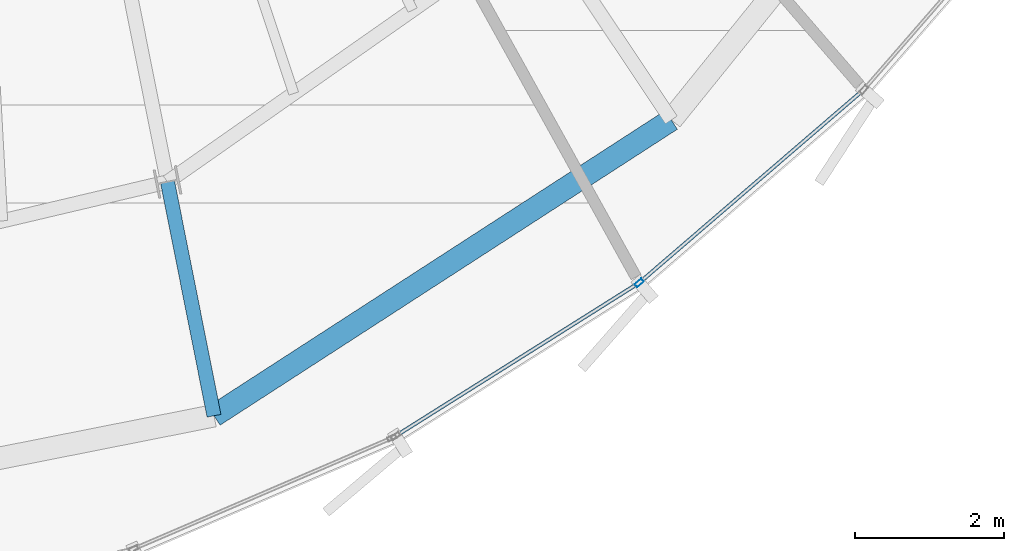
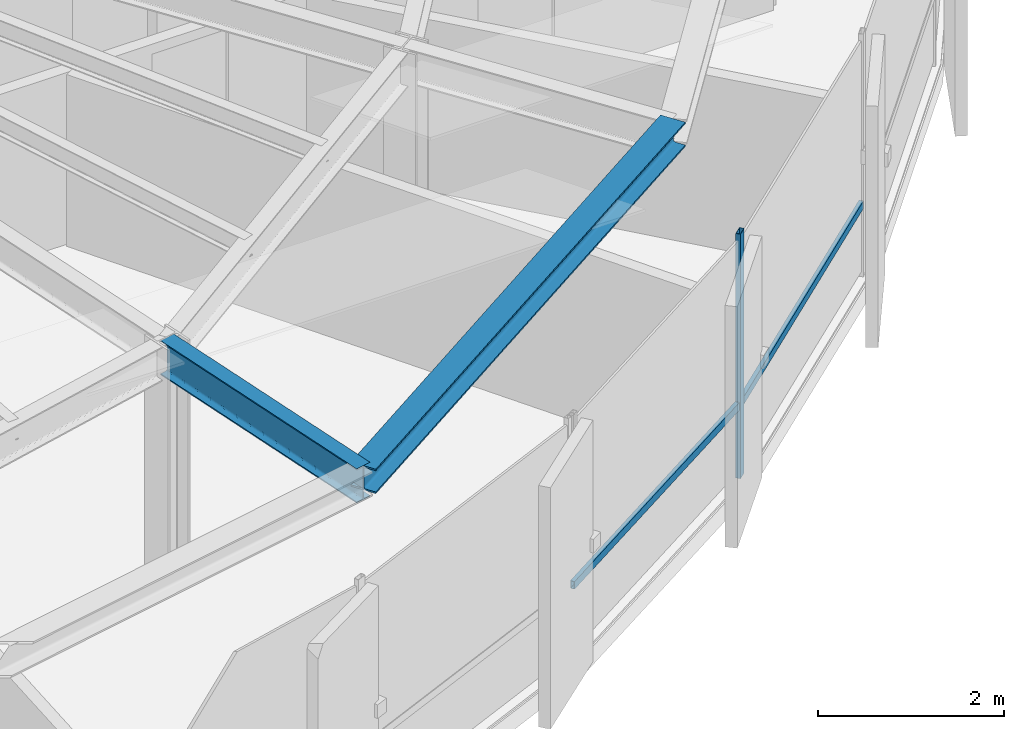
# One storey, part 7 of 35: 3 members, 2 beams, 1 element without a shape of its own.
"""IFC4 building model written with IfcOpenShell, lengths in metres."""

from ifc_helpers import new_model, si_unit, direction, frame, origin, origin_2d, place, context, subcontext, project, spatial, hollow_rectangle, i_section, extrude, source, transform, mapped, material, layer, layer_set, material_profile, profile_set, type_object, element, aggregate, save


model = new_model("IFC4")

# Units and contexts
model_context = context("Model", 3, precision=1e-05, world=origin(), true_north=direction((0.0, 1.0)))
body_context = subcontext(model_context, "Body", "Model", "MODEL_VIEW")
ifc_project = project(units=[si_unit("LENGTHUNIT", "METRE"), si_unit("AREAUNIT", "SQUARE_METRE"), si_unit("VOLUMEUNIT", "CUBIC_METRE"), si_unit("PLANEANGLEUNIT", "RADIAN"), si_unit("MASSUNIT", "GRAM", prefix="KILO"), si_unit("THERMODYNAMICTEMPERATUREUNIT", "KELVIN")], contexts=[model_context])

# Site, building, storey
site_placement = place(None, origin())
site = spatial("IfcSite", under=ifc_project, at=site_placement, CompositionType="ELEMENT")
building_placement = place(site_placement, origin())
building = spatial("IfcBuilding", under=site, at=building_placement, Name="Kethvar Cultural Tower", CompositionType="ELEMENT")
storey_placement = place(building_placement, frame((0.0, 0.0, 249.10009765625)))
storey = spatial("IfcBuildingStorey", under=building, at=storey_placement, Name="L65", CompositionType="ELEMENT", Elevation=249.10009765625)

# Beams
ifc_material_1 = material(Name="Steel S355J2", Category="steel")
ifc_material_profile_1 = material_profile(ifc_material_1, i_section(OverallWidth=0.18994140625, OverallDepth=0.449951171875, WebThickness=0.009521484375, FlangeThickness=0.0146484375, FilletRadius=0.02099609375, at=origin_2d()), Name="Steel S355J2 — IPE450")
ifc_profile_set_1 = profile_set([ifc_material_profile_1], Name="Steel S355J2 — IPE450")
beam_type_1 = type_object("IfcBeamType", Name="BM-IPE450", PredefinedType="BEAM", material=ifc_profile_set_1)
shared_shape_1 = source(origin(), body_context, "Body", "SweptSolid", [
    extrude(i_section(OverallWidth=0.18994140625, OverallDepth=0.449951171875, WebThickness=0.009521484375, FlangeThickness=0.0146484375, FilletRadius=0.02099609375, at=origin_2d()), origin(), (0.0, 0.0, 1.0), 3.199951171875),
])
beam_1_placement = place(storey_placement, frame((49.901611328125, 12.206787109375, 2.98291015625), z_axis=(0.195088965533, -0.980785550224, 0.0), x_axis=(0.980785550224, 0.195088965533, 0.0)))
element("IfcBeam", 1, at=beam_1_placement, inside=storey, type_object=beam_type_1, Name="L65 Perimeter Cantilever Beam RC-13", PredefinedType="BEAM", context=body_context, shape_type="MappedRepresentation", body=[
    mapped(shared_shape_1, transform((0.0, 0.0, 0.0), scale=1.0)),
])
ifc_material_profile_2 = material_profile(ifc_material_1, i_section(OverallWidth=0.300048828125, OverallDepth=0.320068359375, WebThickness=0.011474609375, FlangeThickness=0.0205078125, FilletRadius=0.027099609375, at=origin_2d()), Name="Steel S355J2 — HEB320")
ifc_profile_set_2 = profile_set([ifc_material_profile_2], Name="Steel S355J2 — HEB320")
beam_type_2 = type_object("IfcBeamType", Name="BM-SP320", PredefinedType="SPANDREL", material=ifc_profile_set_2)
shared_shape_2 = source(origin(), body_context, "Body", "SweptSolid", [
    extrude(i_section(OverallWidth=0.300048828125, OverallDepth=0.320068359375, WebThickness=0.011474609375, FlangeThickness=0.0205078125, FilletRadius=0.027099609375, at=origin_2d()), origin(), (0.0, 0.0, 1.0), 7.309326171875),
])
beam_2_placement = place(storey_placement, frame((50.52587890625, 9.068359375, 3.0478515625), z_axis=(0.839562091992, 0.543263742292, 0.0), x_axis=(-0.543263742292, 0.839562091992, 0.0)))
element("IfcBeam", 2, at=beam_2_placement, inside=storey, type_object=beam_type_2, Name="L65 Perimeter Spandrel Beam SP-13", PredefinedType="SPANDREL", context=body_context, shape_type="MappedRepresentation", body=[
    mapped(shared_shape_2, transform((0.0, 0.0, 0.0), scale=1.0)),
])

# Curtain wall, members
ifc_material_2 = material(Name="Aluminium 6063-T6", Category="aluminium")
ifc_layer = layer(ifc_material_2, 0.179931640625, Name="Aluminium 6063-T6", Category="aluminium")
ifc_layer_set = layer_set([ifc_layer], Name="Aluminium 6063-T6 (180 mm)")
curtain_wall_type = type_object("IfcCurtainWallType", Name="CW-SYS-05-Z56", PredefinedType="NOTDEFINED", material=ifc_layer_set)
curtain_wall_placement = place(storey_placement, origin())
curtain_wall = element("IfcCurtainWall", 3, at=curtain_wall_placement, inside=storey, type_object=curtain_wall_type, Name="L65 Curtain Wall Run 05", PredefinedType="NOTDEFINED")
ifc_material_profile_3 = material_profile(ifc_material_2, hollow_rectangle(XDim=0.054931640625, YDim=0.1201171875, WallThickness=0.00390625, at=origin_2d()), Name="Aluminium 6063-T6 — RHS120x55x4")
ifc_profile_set_3 = profile_set([ifc_material_profile_3], Name="Aluminium 6063-T6 — RHS120x55x4")
member_type_1 = type_object("IfcMemberType", Name="CW-SYS-05-Z56-MUL", PredefinedType="MULLION", material=ifc_profile_set_3)
shared_shape_3 = source(origin(), body_context, "Body", "SweptSolid", [
    extrude(hollow_rectangle(XDim=0.054931640625, YDim=0.1201171875, WallThickness=0.00390625, at=origin_2d()), origin(), (0.0, 0.0, 1.0), 3.2099609375),
])
member_1_placement = place(storey_placement, frame((56.232666015625, 10.852783203125, 0.0), z_axis=(0.0, 0.0, 1.0), x_axis=(-0.652257172811, 0.757997744401, 0.0)))
member_1 = element("IfcMember", 4, at=member_1_placement, type_object=member_type_1, Name="CW-L65-R05 Mullion 2", PredefinedType="MULLION", context=body_context, shape_type="MappedRepresentation", body=[
    mapped(shared_shape_3, transform((0.0, 0.0, 0.0), scale=1.0)),
])
ifc_material_profile_4 = material_profile(ifc_material_2, hollow_rectangle(XDim=0.050048828125, YDim=0.10009765625, WallThickness=0.00390625, at=origin_2d()), Name="Aluminium 6063-T6 — RHS100x50x4")
ifc_profile_set_4 = profile_set([ifc_material_profile_4], Name="Aluminium 6063-T6 — RHS100x50x4")
member_type_2 = type_object("IfcMemberType", Name="CW-SYS-05-Z56-TRN", PredefinedType="USERDEFINED", material=ifc_profile_set_4)
shared_shape_4 = source(origin(), body_context, "Body", "SweptSolid", [
    extrude(hollow_rectangle(XDim=0.050048828125, YDim=0.10009765625, WallThickness=0.00390625, at=origin_2d()), origin(), (0.0, 0.0, 1.0), 3.832275390625),
])
member_2_placement = place(storey_placement, frame((52.967529296875, 8.799560546875, 0.949951171875), z_axis=(0.846383870647, 0.53257332219, 0.0), x_axis=(-0.53257332219, 0.846383870647, 0.0)))
member_2 = element("IfcMember", 5, at=member_2_placement, type_object=member_type_2, Name="CW-L65-R05 Transom 1", ObjectType="TRANSOM", PredefinedType="USERDEFINED", context=body_context, shape_type="MappedRepresentation", body=[
    mapped(shared_shape_4, transform((0.0, 0.0, 0.0), scale=1.0)),
])
shared_shape_5 = source(origin(), body_context, "Body", "SweptSolid", [
    extrude(hollow_rectangle(XDim=0.050048828125, YDim=0.10009765625, WallThickness=0.00390625, at=origin_2d()), origin(), (0.0, 0.0, 1.0), 3.90771484375),
])
member_3_placement = place(storey_placement, frame((56.2626953125, 10.878662109375, 0.949951171875), z_axis=(0.758011592111, 0.652241079835, 0.0), x_axis=(-0.652241079835, 0.758011592111, 0.0)))
member_3 = element("IfcMember", 6, at=member_3_placement, type_object=member_type_2, Name="CW-L65-R05 Transom 2", ObjectType="TRANSOM", PredefinedType="USERDEFINED", context=body_context, shape_type="MappedRepresentation", body=[
    mapped(shared_shape_5, transform((0.0, 0.0, 0.0), scale=1.0)),
])
aggregate(curtain_wall, [member_1, member_2, member_3])

save(model, "model.ifc")
